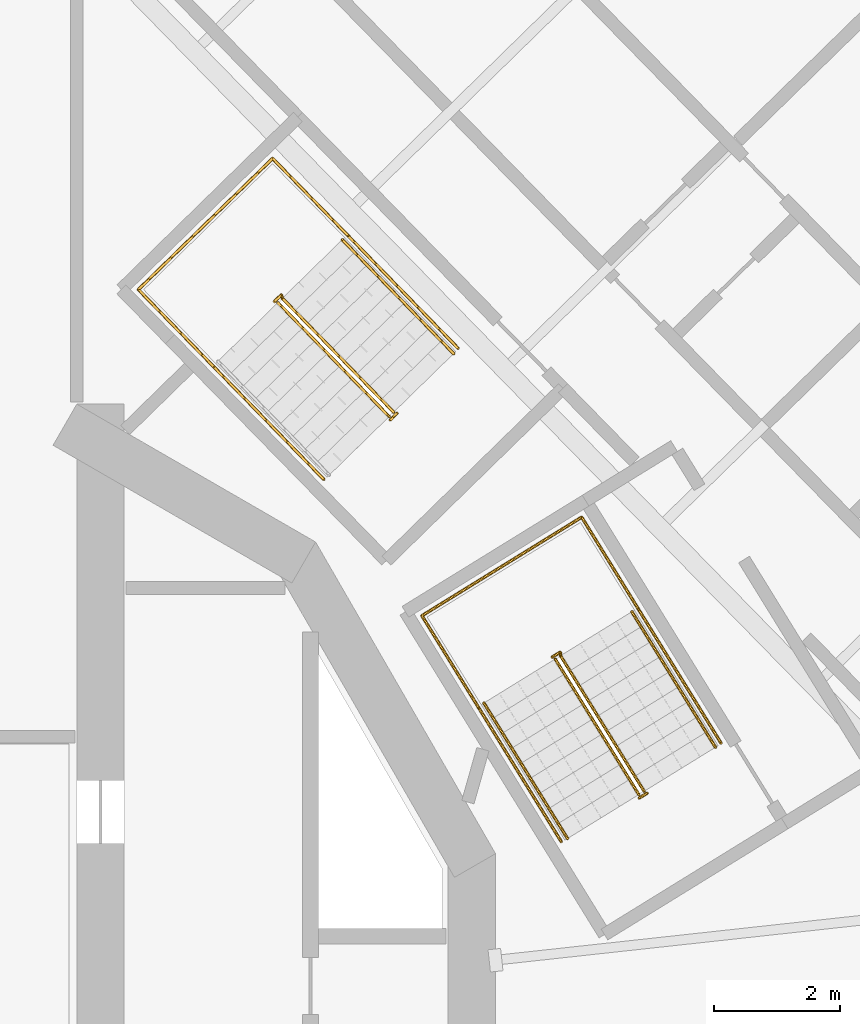
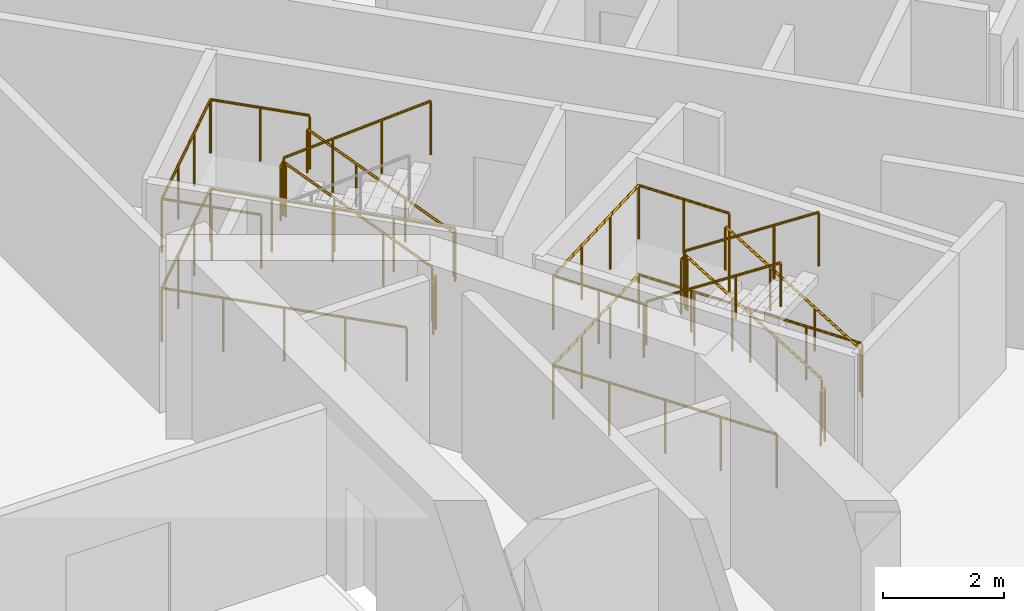
# One storey, part 15 of 17: 13 railings.
"""IFC4 building model written with IfcOpenShell, lengths in metres."""

import ifcopenshell
import ifcopenshell.guid

model = None  # the IFC model being written
_history = None  # IfcOwnerHistory: only IFC2X3 demands one
_inside = {}  # id of a spatial element -> (the spatial element, [elements in it])
_under = {}  # id of a project, library or spatial element -> (it, [spatial elements below it])
_declared = {}  # id of a project -> (the project, [libraries it declares])
_typed = {}  # id of a type object -> (the type object, [elements of that type])
_made_of = {}  # id of a material, layer set ... -> (it, [elements and type objects made of it])


def new_model(schema):
    """Start an empty IFC model of exactly this schema.

    Asked for "IFC4X3", IfcOpenShell would pick the latest addendum, in which some entities
    have other attributes; the version numbers below select the first issue.
    IFC2X3 requires an IfcOwnerHistory on every rooted entity: one is made here for all.
    """
    global model, _history
    if schema == "IFC4X3":
        model = ifcopenshell.file(schema_version=(4, 3, 0, 0))
    else:
        model = ifcopenshell.file(schema=schema)
    _inside.clear()
    _under.clear()
    _declared.clear()
    _typed.clear()
    _made_of.clear()
    _history = None
    if model.schema == "IFC2X3":
        org = make("IfcOrganization", Name="unknown")
        user = make(
            "IfcPersonAndOrganization",
            ThePerson=make("IfcPerson", FamilyName="unknown"),
            TheOrganization=org,
        )
        app = make(
            "IfcApplication",
            ApplicationDeveloper=org,
            Version="unknown",
            ApplicationFullName="unknown",
            ApplicationIdentifier="unknown",
        )
        _history = make(
            "IfcOwnerHistory",
            OwningUser=user,
            OwningApplication=app,
            ChangeAction="ADDED",
            CreationDate=0,
        )
    return model


def make(cls, **values):
    """One entity of the class cls with the attributes given. An attribute that is None is left unset."""
    return model.create_entity(
        cls, **{name: value for name, value in values.items() if value is not None}
    )


def rooted(cls, **values):
    """An entity with a GlobalId (a new one), such as an element, a storey or a relation."""
    return make(cls, GlobalId=ifcopenshell.guid.new(), OwnerHistory=_history, **values)


def si_unit(unit_type, name, prefix=None):
    """IfcSIUnit, for example si_unit("LENGTHUNIT", "METRE", prefix="MILLI")."""
    return make("IfcSIUnit", UnitType=unit_type, Prefix=prefix, Name=name)


def assignment(units):
    """IfcUnitAssignment: the units of a project."""
    return None if units is None else make("IfcUnitAssignment", Units=units)


def point(xyz):
    """IfcCartesianPoint."""
    return None if xyz is None else make("IfcCartesianPoint", Coordinates=xyz)


def direction(xyz):
    """IfcDirection."""
    return None if xyz is None else make("IfcDirection", DirectionRatios=xyz)


def frame(location, z_axis=None, x_axis=None):
    """IfcAxis2Placement3D, a coordinate frame: its origin and axes. An axis left out is left unset."""
    return make(
        "IfcAxis2Placement3D",
        Location=point(location),
        Axis=direction(z_axis),
        RefDirection=direction(x_axis),
    )


def frame_2d(location, x_axis=None):
    """IfcAxis2Placement2D, a coordinate frame in the plane: its origin and x axis."""
    return make(
        "IfcAxis2Placement2D", Location=point(location), RefDirection=direction(x_axis)
    )


def origin():
    """The frame at (0, 0, 0) with its axes left unset."""
    return frame((0.0, 0.0, 0.0))


def origin_2d():
    """The frame at (0, 0) in the plane with its x axis left unset."""
    return frame_2d((0.0, 0.0))


def place(relative_to, where):
    """IfcLocalPlacement: puts the frame where relative to a parent placement (None: the world)."""
    return make(
        "IfcLocalPlacement", PlacementRelTo=relative_to, RelativePlacement=where
    )


def context(
    kind, dimensions, precision=None, world=None, true_north=None, identifier=None
):
    """IfcGeometricRepresentationContext, for example the 3D "Model" context."""
    return make(
        "IfcGeometricRepresentationContext",
        ContextIdentifier=identifier,
        ContextType=kind,
        CoordinateSpaceDimension=dimensions,
        Precision=precision,
        WorldCoordinateSystem=world,
        TrueNorth=true_north,
    )


def subcontext(parent, identifier, kind, view, scale=None):
    """IfcGeometricRepresentationSubContext, for example "Body" below "Model"."""
    return make(
        "IfcGeometricRepresentationSubContext",
        ContextIdentifier=identifier,
        ContextType=kind,
        ParentContext=parent,
        TargetScale=scale,
        TargetView=view,
    )


def project(units=None, contexts=None):
    """IfcProject with its units and contexts."""
    return rooted(
        "IfcProject",
        Name="project",
        RepresentationContexts=contexts,
        UnitsInContext=assignment(units),
    )


def spatial(cls, under=None, at=None, **own):
    """A site, building, storey or space (cls), placed at a placement, below another one or the project."""
    s = rooted(cls, ObjectPlacement=at, **own)
    if under is not None:
        _under.setdefault(under.id(), (under, []))[1].append(s)
    return s


def profile(cls, at=None, kind="AREA", **sizes):
    """A parametric profile (cls). Its sizes go by their IFC names, for example OverallWidth=200.0."""
    return make(cls, ProfileType=kind, Position=at, **sizes)


def circle(**sizes):
    """IfcCircleProfileDef."""
    return profile("IfcCircleProfileDef", **sizes)


def extrude(swept, where, along, depth):
    """IfcExtrudedAreaSolid: the profile swept, set in the frame where, extruded along a direction by depth."""
    return make(
        "IfcExtrudedAreaSolid",
        SweptArea=swept,
        Position=where,
        ExtrudedDirection=direction(along),
        Depth=depth,
    )


def shape(context_of_items, identifier, shape_type, items):
    """IfcShapeRepresentation: the items that make up one representation, for example the "Body"."""
    return make(
        "IfcShapeRepresentation",
        ContextOfItems=context_of_items,
        RepresentationIdentifier=identifier,
        RepresentationType=shape_type,
        Items=items,
    )


def material(Name=None, Category=None):
    """IfcMaterial."""
    return make("IfcMaterial", Name=Name, Category=Category)


def made_of(thing, what):
    """Note that an element or type object is made of a material, layer set ...; save() writes the relation."""
    if what is not None:
        _made_of.setdefault(what.id(), (what, []))[1].append(thing)
    return thing


def type_object(cls, material=None, **own):
    """A type object (cls), such as IfcWallType, which elements share."""
    return made_of(rooted(cls, **own), material)


def element(
    cls,
    number,
    at=None,
    inside=None,
    cuts=None,
    type_object=None,
    material=None,
    context=None,
    identifier="Body",
    shape_type=None,
    held_by="IfcProductDefinitionShape",
    body=None,
    shapes=None,
    **own,
):
    """One element of the class cls, such as IfcWall. Its Tag is "e" and its number.

    at: its placement. inside: the storey or other place that contains it. cuts: it is an
    opening in that element (IfcRelVoidsElement). A single representation is given by context,
    identifier, shape_type and body (its items); several are given by shapes. held_by: the class
    of the entity that holds the representations. save() writes the other relations.
    """
    e = rooted(cls, Tag="e%d" % number, ObjectPlacement=at, **own)
    if body is not None:
        shapes = [shape(context, identifier, shape_type, body)]
    if shapes is not None:
        e.Representation = make(held_by, Representations=shapes)
    if inside is not None:
        _inside.setdefault(inside.id(), (inside, []))[1].append(e)
    if cuts is not None:
        rooted(
            "IfcRelVoidsElement", RelatingBuildingElement=cuts, RelatedOpeningElement=e
        )
    if type_object is not None:
        _typed.setdefault(type_object.id(), (type_object, []))[1].append(e)
    return made_of(e, material)


def aggregate(whole, parts):
    """IfcRelAggregates: a whole, such as a stair, and the parts it consists of."""
    return rooted("IfcRelAggregates", RelatingObject=whole, RelatedObjects=parts)


def save(model, path):
    """Write the relations noted so far, then the file.

    IfcRelAggregates (storeys below a building ...), IfcRelContainedInSpatialStructure (elements
    in a storey), IfcRelDefinesByType, IfcRelAssociatesMaterial and IfcRelDeclares: one each for
    every whole, place, type object, material and project.
    """
    for whole, parts in _under.values():
        aggregate(whole, parts)
    for where, things in _inside.values():
        rooted(
            "IfcRelContainedInSpatialStructure",
            RelatedElements=things,
            RelatingStructure=where,
        )
    for kind, things in _typed.values():
        rooted("IfcRelDefinesByType", RelatedObjects=things, RelatingType=kind)
    for what, things in _made_of.values():
        rooted("IfcRelAssociatesMaterial", RelatedObjects=things, RelatingMaterial=what)
    for by, libraries in _declared.values():
        rooted("IfcRelDeclares", RelatingContext=by, RelatedDefinitions=libraries)
    model.write(path)


model = new_model("IFC4")

# Units and contexts
model_context = context("Model", 3, precision=1e-05, world=origin(), true_north=direction((0.0, 1.0)))
body_context = subcontext(model_context, "Body", "Model", "MODEL_VIEW")
ifc_project = project(units=[si_unit("LENGTHUNIT", "METRE"), si_unit("AREAUNIT", "SQUARE_METRE"), si_unit("VOLUMEUNIT", "CUBIC_METRE"), si_unit("PLANEANGLEUNIT", "RADIAN"), si_unit("MASSUNIT", "GRAM", prefix="KILO")], contexts=[model_context])

# Site, building, storey
site_placement = place(None, origin())
site = spatial("IfcSite", under=ifc_project, at=site_placement, CompositionType="ELEMENT")
building_placement = place(site_placement, origin())
building = spatial("IfcBuilding", under=site, at=building_placement, Name="Cantera Rosa Tower", CompositionType="ELEMENT")
storey_placement = place(building_placement, frame((0.0, 0.0, 237.800048828125)))
storey = spatial("IfcBuildingStorey", under=building, at=storey_placement, Name="L52", CompositionType="ELEMENT", Elevation=237.800048828125)

# Railings
ifc_material_1 = material(Name="Steel S355J2 (EN 10025-2)", Category="steel")
railing_type_1 = type_object("IfcRailingType", Name="STAIR GUARD 1100", PredefinedType="GUARDRAIL", material=ifc_material_1)
railing_1_placement = place(storey_placement, frame((12.9765625, 3.834228515625, 0.179931640625)))
element("IfcRailing", 1, at=railing_1_placement, inside=storey, type_object=railing_type_1, Name="L52 ST-41 stair guard 1", PredefinedType="GUARDRAIL", context=body_context, shape_type="SweptSolid", body=[
    extrude(circle(Radius=0.02392578125, at=origin_2d()), frame((0.0, 0.0, 1.076171875), z_axis=(-0.44154346381, 0.715939337315, 0.540805172729), x_axis=(-0.851145618652, -0.524929648476, 0.0)), (0.0, 0.0, 1.0), 2.995849609375),
    extrude(circle(Radius=0.02392578125, at=origin_2d()), frame((-1.32275390625, 2.144775390625, 2.6962890625), z_axis=(-0.073711968402, 0.997279572494, 0.0), x_axis=(-0.997279572494, -0.073711968402, 0.0)), (0.0, 0.0, 1.0), 0.056396484375),
    extrude(circle(Radius=0.02392578125, at=origin_2d()), frame((-1.326904296875, 2.200927734375, 2.6962890625), z_axis=(-0.851546489876, -0.524279100842, 0.0), x_axis=(0.524279100842, -0.851546489876, 0.0)), (0.0, 0.0, 1.0), 0.14990234375),
    extrude(circle(Radius=0.02099609375, at=origin_2d()), origin(), (0.0, 0.0, 1.0), 1.052001953125),
    extrude(circle(Radius=0.02099609375, at=origin_2d()), frame((-0.44091796875, 0.71484375, 0.5400390625)), (0.0, 0.0, 1.0), 1.052001953125),
    extrude(circle(Radius=0.02099609375, at=origin_2d()), frame((-0.8818359375, 1.429931640625, 1.080078125)), (0.0, 0.0, 1.0), 1.052001953125),
    extrude(circle(Radius=0.02099609375, at=origin_2d()), frame((-1.32275390625, 2.144775390625, 1.6201171875)), (0.0, 0.0, 1.0), 1.052001953125),
    extrude(circle(Radius=0.02099609375, at=origin_2d()), frame((-1.326904296875, 2.200927734375, 1.6201171875)), (0.0, 0.0, 1.0), 1.052001953125),
    extrude(circle(Radius=0.02099609375, at=origin_2d()), frame((-1.45458984375, 2.122314453125, 1.6201171875)), (0.0, 0.0, 1.0), 1.052001953125),
])
railing_2_placement = place(storey_placement, frame((11.5703125, 5.927490234375, 1.97998046875)))
element("IfcRailing", 2, at=railing_2_placement, inside=storey, type_object=railing_type_1, Name="L52 ST-41 stair guard 2", PredefinedType="GUARDRAIL", context=body_context, shape_type="SweptSolid", body=[
    extrude(circle(Radius=0.02392578125, at=origin_2d()), frame((0.0, 0.0, 1.076171875), z_axis=(0.441628529057, -0.715945124149, 0.540728047664), x_axis=(0.851102330005, 0.524999832248, 0.0)), (0.0, 0.0, 1.0), 2.99560546875),
    extrude(circle(Radius=0.02099609375, at=origin_2d()), origin(), (0.0, 0.0, 1.0), 1.052001953125),
    extrude(circle(Radius=0.02099609375, at=origin_2d()), frame((0.44091796875, -0.71484375, 0.5400390625)), (0.0, 0.0, 1.0), 1.052001953125),
    extrude(circle(Radius=0.02099609375, at=origin_2d()), frame((0.882080078125, -1.429931640625, 1.079833984375)), (0.0, 0.0, 1.0), 1.052001953125),
    extrude(circle(Radius=0.02099609375, at=origin_2d()), frame((1.322998046875, -2.144775390625, 1.619873046875)), (0.0, 0.0, 1.0), 1.052001953125),
])
railing_3_placement = place(storey_placement, frame((13.025146484375, 3.80517578125, 0.0)))
element("IfcRailing", 3, at=railing_3_placement, inside=storey, type_object=railing_type_1, Name="L52 ST-41 stair guard 3", PredefinedType="GUARDRAIL", context=body_context, shape_type="SweptSolid", body=[
    extrude(circle(Radius=0.02392578125, at=origin_2d()), frame((0.0, 0.0, 1.076171875), z_axis=(-0.851546489876, -0.524279100842, 0.0), x_axis=(0.524279100842, -0.851546489876, 0.0)), (0.0, 0.0, 1.0), 0.14990234375),
    extrude(circle(Radius=0.02099609375, at=origin_2d()), origin(), (0.0, 0.0, 1.0), 1.052001953125),
    extrude(circle(Radius=0.02099609375, at=origin_2d()), frame((-0.127685546875, -0.07861328125, 0.0)), (0.0, 0.0, 1.0), 1.052001953125),
])
railing_4_placement = place(storey_placement, frame((14.192626953125, 4.59814453125, 0.0)))
element("IfcRailing", 4, at=railing_4_placement, inside=storey, type_object=railing_type_1, Name="L52 ST-41 stair guard 4", PredefinedType="GUARDRAIL", context=body_context, shape_type="SweptSolid", body=[
    extrude(circle(Radius=0.02392578125, at=origin_2d()), frame((0.0, 0.0, 1.076171875), z_axis=(-0.524976478809, 0.851116735059, 0.0), x_axis=(-0.851116735059, -0.524976478809, 0.0)), (0.0, 0.0, 1.0), 4.197998046875),
    extrude(circle(Radius=0.02392578125, at=origin_2d()), frame((-2.203857421875, 3.572998046875, 1.076171875), z_axis=(-0.851132917336, -0.524950242429, 0.0), x_axis=(0.524950242429, -0.851132917336, 0.0)), (0.0, 0.0, 1.0), 2.969970703125),
    extrude(circle(Radius=0.02392578125, at=origin_2d()), frame((-4.731689453125, 2.013916015625, 1.076171875), z_axis=(0.524976478809, -0.851116735059, 0.0), x_axis=(0.851116735059, 0.524976478809, 0.0)), (0.0, 0.0, 1.0), 4.197998046875),
    extrude(circle(Radius=0.02099609375, at=origin_2d()), origin(), (0.0, 0.0, 1.0), 1.052001953125),
    extrude(circle(Radius=0.02099609375, at=origin_2d()), frame((-0.551025390625, 0.893310546875, 0.0)), (0.0, 0.0, 1.0), 1.052001953125),
    extrude(circle(Radius=0.02099609375, at=origin_2d()), frame((-1.10205078125, 1.78662109375, 0.0)), (0.0, 0.0, 1.0), 1.052001953125),
    extrude(circle(Radius=0.02099609375, at=origin_2d()), frame((-1.65283203125, 2.6796875, 0.0)), (0.0, 0.0, 1.0), 1.052001953125),
    extrude(circle(Radius=0.02099609375, at=origin_2d()), frame((-2.203857421875, 3.572998046875, 0.0)), (0.0, 0.0, 1.0), 1.052001953125),
    extrude(circle(Radius=0.02099609375, at=origin_2d()), frame((-3.04638671875, 3.05322265625, 0.0)), (0.0, 0.0, 1.0), 1.052001953125),
    extrude(circle(Radius=0.02099609375, at=origin_2d()), frame((-3.88916015625, 2.53369140625, 0.0)), (0.0, 0.0, 1.0), 1.052001953125),
    extrude(circle(Radius=0.02099609375, at=origin_2d()), frame((-4.731689453125, 2.013916015625, 0.0)), (0.0, 0.0, 1.0), 1.052001953125),
    extrude(circle(Radius=0.02099609375, at=origin_2d()), frame((-4.1806640625, 1.12060546875, 0.0)), (0.0, 0.0, 1.0), 1.052001953125),
    extrude(circle(Radius=0.02099609375, at=origin_2d()), frame((-3.6298828125, 0.2275390625, 0.0)), (0.0, 0.0, 1.0), 1.052001953125),
    extrude(circle(Radius=0.02099609375, at=origin_2d()), frame((-3.078857421875, -0.665771484375, 0.0)), (0.0, 0.0, 1.0), 1.052001953125),
    extrude(circle(Radius=0.02099609375, at=origin_2d()), frame((-2.52783203125, -1.55908203125, 0.0)), (0.0, 0.0, 1.0), 1.052001953125),
])
railing_5_placement = place(storey_placement, frame((12.88232421875, 6.72265625, 1.800048828125)))
element("IfcRailing", 5, at=railing_5_placement, inside=storey, type_object=railing_type_1, Name="L52 ST-41 stair guard 5", PredefinedType="GUARDRAIL", context=body_context, shape_type="SweptSolid", body=[
    extrude(circle(Radius=0.02392578125, at=origin_2d()), frame((0.0, 0.0, 1.076171875), z_axis=(-0.525025534833, 0.851086474909, 0.0), x_axis=(-0.851086474909, -0.525025534833, 0.0)), (0.0, 0.0, 1.0), 1.701904296875),
    extrude(circle(Radius=0.02392578125, at=origin_2d()), frame((-0.8935546875, 1.448486328125, 1.076171875), z_axis=(-0.851132917336, -0.524950242429, 0.0), x_axis=(0.524950242429, -0.851132917336, 0.0)), (0.0, 0.0, 1.0), 2.969970703125),
    extrude(circle(Radius=0.02392578125, at=origin_2d()), frame((-3.42138671875, -0.110595703125, 1.076171875), z_axis=(0.524961441845, -0.851126009811, 0.0), x_axis=(0.851126009811, 0.524961441845, 0.0)), (0.0, 0.0, 1.0), 1.7021484375),
    extrude(circle(Radius=0.02099609375, at=origin_2d()), origin(), (0.0, 0.0, 1.0), 1.052001953125),
    extrude(circle(Radius=0.02099609375, at=origin_2d()), frame((-0.44677734375, 0.72412109375, 0.0)), (0.0, 0.0, 1.0), 1.052001953125),
    extrude(circle(Radius=0.02099609375, at=origin_2d()), frame((-0.8935546875, 1.448486328125, 0.0)), (0.0, 0.0, 1.0), 1.052001953125),
    extrude(circle(Radius=0.02099609375, at=origin_2d()), frame((-1.736083984375, 0.9287109375, 0.0)), (0.0, 0.0, 1.0), 1.052001953125),
    extrude(circle(Radius=0.02099609375, at=origin_2d()), frame((-2.578857421875, 0.4091796875, 0.0)), (0.0, 0.0, 1.0), 1.052001953125),
    extrude(circle(Radius=0.02099609375, at=origin_2d()), frame((-3.42138671875, -0.110595703125, 0.0)), (0.0, 0.0, 1.0), 1.052001953125),
    extrude(circle(Radius=0.02099609375, at=origin_2d()), frame((-2.974609375, -0.8349609375, 0.0)), (0.0, 0.0, 1.0), 1.052001953125),
    extrude(circle(Radius=0.02099609375, at=origin_2d()), frame((-2.52783203125, -1.559326171875, 0.0)), (0.0, 0.0, 1.0), 1.052001953125),
])
railing_6_placement = place(storey_placement, frame((9.013427734375, 9.832763671875, 0.179931640625)))
element("IfcRailing", 6, at=railing_6_placement, inside=storey, type_object=railing_type_1, Name="L52 ST-42 stair guard 1", PredefinedType="GUARDRAIL", context=body_context, shape_type="SweptSolid", body=[
    extrude(circle(Radius=0.02392578125, at=origin_2d()), frame((0.0, 0.0, 1.076171875), z_axis=(-0.587818193466, 0.601672219931, 0.54079599776), x_axis=(-0.715293958342, -0.698823692472, 0.0)), (0.0, 0.0, 1.0), 2.995849609375),
    extrude(circle(Radius=0.02392578125, at=origin_2d()), frame((-1.760986328125, 1.802490234375, 2.6962890625), z_axis=(-0.290127576896, 0.956987977523, 0.0), x_axis=(-0.956987977523, -0.290127576896, 0.0)), (0.0, 0.0, 1.0), 0.056396484375),
    extrude(circle(Radius=0.02392578125, at=origin_2d()), frame((-1.77734375, 1.8564453125, 2.6962890625), z_axis=(-0.71600013962, -0.69810013613, 0.0), x_axis=(0.69810013613, -0.71600013962, 0.0)), (0.0, 0.0, 1.0), 0.150146484375),
    extrude(circle(Radius=0.02099609375, at=origin_2d()), origin(), (0.0, 0.0, 1.0), 1.052001953125),
    extrude(circle(Radius=0.02099609375, at=origin_2d()), frame((-0.5869140625, 0.600830078125, 0.5400390625)), (0.0, 0.0, 1.0), 1.052001953125),
    extrude(circle(Radius=0.02099609375, at=origin_2d()), frame((-1.174072265625, 1.20166015625, 1.080078125)), (0.0, 0.0, 1.0), 1.052001953125),
    extrude(circle(Radius=0.02099609375, at=origin_2d()), frame((-1.760986328125, 1.802490234375, 1.6201171875)), (0.0, 0.0, 1.0), 1.052001953125),
    extrude(circle(Radius=0.02099609375, at=origin_2d()), frame((-1.77734375, 1.8564453125, 1.6201171875)), (0.0, 0.0, 1.0), 1.052001953125),
    extrude(circle(Radius=0.02099609375, at=origin_2d()), frame((-1.884765625, 1.751708984375, 1.6201171875)), (0.0, 0.0, 1.0), 1.052001953125),
])
railing_7_placement = place(storey_placement, frame((7.182373046875, 11.56689453125, 1.97998046875)))
element("IfcRailing", 7, at=railing_7_placement, inside=storey, type_object=railing_type_1, Name="L52 ST-42 stair guard 2", PredefinedType="GUARDRAIL", context=body_context, shape_type="SweptSolid", body=[
    extrude(circle(Radius=0.02392578125, at=origin_2d()), frame((0.0, 0.0, 1.076171875), z_axis=(0.587844099419, -0.60169873645, 0.540738333515), x_axis=(0.715293958342, 0.698823692472, 0.0)), (0.0, 0.0, 1.0), 2.99560546875),
    extrude(circle(Radius=0.02099609375, at=origin_2d()), origin(), (0.0, 0.0, 1.0), 1.052001953125),
    extrude(circle(Radius=0.02099609375, at=origin_2d()), frame((0.5869140625, -0.600830078125, 0.5400390625)), (0.0, 0.0, 1.0), 1.052001953125),
    extrude(circle(Radius=0.02099609375, at=origin_2d()), frame((1.174072265625, -1.20166015625, 1.079833984375)), (0.0, 0.0, 1.0), 1.052001953125),
    extrude(circle(Radius=0.02099609375, at=origin_2d()), frame((1.760986328125, -1.802490234375, 1.619873046875)), (0.0, 0.0, 1.0), 1.052001953125),
])
railing_8_placement = place(storey_placement, frame((9.06689453125, 9.815185546875, 0.0)))
element("IfcRailing", 8, at=railing_8_placement, inside=storey, type_object=railing_type_1, Name="L52 ST-42 stair guard 3", PredefinedType="GUARDRAIL", context=body_context, shape_type="SweptSolid", body=[
    extrude(circle(Radius=0.02392578125, at=origin_2d()), frame((0.0, 0.0, 1.076171875), z_axis=(-0.715205710557, -0.698914008722, 0.0), x_axis=(0.698914008722, -0.715205710557, 0.0)), (0.0, 0.0, 1.0), 0.14990234375),
    extrude(circle(Radius=0.02099609375, at=origin_2d()), origin(), (0.0, 0.0, 1.0), 1.052001953125),
    extrude(circle(Radius=0.02099609375, at=origin_2d()), frame((-0.107177734375, -0.104736328125, 0.0)), (0.0, 0.0, 1.0), 1.052001953125),
])
railing_9_placement = place(storey_placement, frame((10.0322265625, 10.844970703125, 0.0)))
element("IfcRailing", 9, at=railing_9_placement, inside=storey, type_object=railing_type_1, Name="L52 ST-42 stair guard 4", PredefinedType="GUARDRAIL", context=body_context, shape_type="SweptSolid", body=[
    extrude(circle(Radius=0.02392578125, at=origin_2d()), frame((0.0, 0.0, 1.076171875), z_axis=(-0.698859254364, 0.715259213566, 0.0), x_axis=(-0.715259213566, -0.698859254364, 0.0)), (0.0, 0.0, 1.0), 4.197998046875),
    extrude(circle(Radius=0.02392578125, at=origin_2d()), frame((-2.933837890625, 3.002685546875, 1.076171875), z_axis=(-0.715279654138, -0.698838333505, 0.0), x_axis=(0.698838333505, -0.715279654138, 0.0)), (0.0, 0.0, 1.0), 2.9697265625),
    extrude(circle(Radius=0.02392578125, at=origin_2d()), frame((-5.05810546875, 0.92724609375, 1.076171875), z_axis=(0.698829500247, -0.715288284249, 0.0), x_axis=(0.715288284249, 0.698829500247, 0.0)), (0.0, 0.0, 1.0), 4.19775390625),
    extrude(circle(Radius=0.02099609375, at=origin_2d()), origin(), (0.0, 0.0, 1.0), 1.052001953125),
    extrude(circle(Radius=0.02099609375, at=origin_2d()), frame((-0.7333984375, 0.750732421875, 0.0)), (0.0, 0.0, 1.0), 1.052001953125),
    extrude(circle(Radius=0.02099609375, at=origin_2d()), frame((-1.466796875, 1.50146484375, 0.0)), (0.0, 0.0, 1.0), 1.052001953125),
    extrude(circle(Radius=0.02099609375, at=origin_2d()), frame((-2.200439453125, 2.251953125, 0.0)), (0.0, 0.0, 1.0), 1.052001953125),
    extrude(circle(Radius=0.02099609375, at=origin_2d()), frame((-2.933837890625, 3.002685546875, 0.0)), (0.0, 0.0, 1.0), 1.052001953125),
    extrude(circle(Radius=0.02099609375, at=origin_2d()), frame((-3.641845703125, 2.310791015625, 0.0)), (0.0, 0.0, 1.0), 1.052001953125),
    extrude(circle(Radius=0.02099609375, at=origin_2d()), frame((-4.35009765625, 1.619140625, 0.0)), (0.0, 0.0, 1.0), 1.052001953125),
    extrude(circle(Radius=0.02099609375, at=origin_2d()), frame((-5.05810546875, 0.92724609375, 0.0)), (0.0, 0.0, 1.0), 1.052001953125),
    extrude(circle(Radius=0.02099609375, at=origin_2d()), frame((-4.32470703125, 0.176513671875, 0.0)), (0.0, 0.0, 1.0), 1.052001953125),
    extrude(circle(Radius=0.02099609375, at=origin_2d()), frame((-3.59130859375, -0.57421875, 0.0)), (0.0, 0.0, 1.0), 1.052001953125),
    extrude(circle(Radius=0.02099609375, at=origin_2d()), frame((-2.85791015625, -1.32470703125, 0.0)), (0.0, 0.0, 1.0), 1.052001953125),
    extrude(circle(Radius=0.02099609375, at=origin_2d()), frame((-2.12451171875, -2.075439453125, 0.0)), (0.0, 0.0, 1.0), 1.052001953125),
])
railing_10_placement = place(storey_placement, frame((8.287841796875, 12.63037109375, 1.800048828125)))
element("IfcRailing", 10, at=railing_10_placement, inside=storey, type_object=railing_type_1, Name="L52 ST-42 stair guard 5", PredefinedType="GUARDRAIL", context=body_context, shape_type="SweptSolid", body=[
    extrude(circle(Radius=0.02392578125, at=origin_2d()), frame((0.0, 0.0, 1.076171875), z_axis=(-0.698882919007, 0.715236090757, 0.0), x_axis=(-0.715236090757, -0.698882919007, 0.0)), (0.0, 0.0, 1.0), 1.701904296875),
    extrude(circle(Radius=0.02392578125, at=origin_2d()), frame((-1.189453125, 1.21728515625, 1.076171875), z_axis=(-0.715279654138, -0.698838333505, 0.0), x_axis=(0.698838333505, -0.715279654138, 0.0)), (0.0, 0.0, 1.0), 2.9697265625),
    extrude(circle(Radius=0.02392578125, at=origin_2d()), frame((-3.313720703125, -0.858154296875, 1.076171875), z_axis=(0.698811217595, -0.715306145761, 0.0), x_axis=(0.715306145761, 0.698811217595, 0.0)), (0.0, 0.0, 1.0), 1.7021484375),
    extrude(circle(Radius=0.02099609375, at=origin_2d()), origin(), (0.0, 0.0, 1.0), 1.052001953125),
    extrude(circle(Radius=0.02099609375, at=origin_2d()), frame((-0.5947265625, 0.608642578125, 0.0)), (0.0, 0.0, 1.0), 1.052001953125),
    extrude(circle(Radius=0.02099609375, at=origin_2d()), frame((-1.189453125, 1.21728515625, 0.0)), (0.0, 0.0, 1.0), 1.052001953125),
    extrude(circle(Radius=0.02099609375, at=origin_2d()), frame((-1.8974609375, 0.525390625, 0.0)), (0.0, 0.0, 1.0), 1.052001953125),
    extrude(circle(Radius=0.02099609375, at=origin_2d()), frame((-2.605712890625, -0.166259765625, 0.0)), (0.0, 0.0, 1.0), 1.052001953125),
    extrude(circle(Radius=0.02099609375, at=origin_2d()), frame((-3.313720703125, -0.858154296875, 0.0)), (0.0, 0.0, 1.0), 1.052001953125),
    extrude(circle(Radius=0.02099609375, at=origin_2d()), frame((-2.718994140625, -1.466796875, 0.0)), (0.0, 0.0, 1.0), 1.052001953125),
    extrude(circle(Radius=0.02099609375, at=origin_2d()), frame((-2.124267578125, -2.07568359375, 0.0)), (0.0, 0.0, 1.0), 1.052001953125),
])
ifc_material_2 = material(Name="Steel S355J2 (EN 10025-2)", Category="steel")
railing_type_2 = type_object("IfcRailingType", Name="STAIR HANDRAIL 900", PredefinedType="HANDRAIL", material=ifc_material_2)
railing_11_placement = place(storey_placement, frame((14.105224609375, 4.5302734375, 0.179931640625)))
element("IfcRailing", 11, at=railing_11_placement, inside=storey, type_object=railing_type_2, Name="L52 ST-41 stair handrail 1", PredefinedType="HANDRAIL", context=body_context, shape_type="SweptSolid", body=[
    extrude(circle(Radius=0.02392578125, at=origin_2d()), frame((0.0, 0.0, 0.8759765625), z_axis=(-0.441609067481, 0.715913574058, 0.540785711718), x_axis=(-0.851102330005, -0.524999832248, 0.0)), (0.0, 0.0, 1.0), 2.995849609375),
    extrude(circle(Radius=0.02099609375, at=origin_2d()), origin(), (0.0, 0.0, 1.0), 0.851806640625),
    extrude(circle(Radius=0.02099609375, at=origin_2d()), frame((-0.44091796875, 0.71484375, 0.5400390625)), (0.0, 0.0, 1.0), 0.851806640625),
    extrude(circle(Radius=0.02099609375, at=origin_2d()), frame((-0.882080078125, 1.429931640625, 1.080078125)), (0.0, 0.0, 1.0), 0.851806640625),
    extrude(circle(Radius=0.02099609375, at=origin_2d()), frame((-1.322998046875, 2.144775390625, 1.6201171875)), (0.0, 0.0, 1.0), 0.851806640625),
])
railing_12_placement = place(storey_placement, frame((10.441650390625, 5.2314453125, 1.97998046875)))
element("IfcRailing", 12, at=railing_12_placement, inside=storey, type_object=railing_type_2, Name="L52 ST-41 stair handrail 2", PredefinedType="HANDRAIL", context=body_context, shape_type="SweptSolid", body=[
    extrude(circle(Radius=0.02392578125, at=origin_2d()), frame((0.0, 0.0, 0.8759765625), z_axis=(0.441628529057, -0.715945124149, 0.540728047664), x_axis=(0.851102330005, 0.524999832248, 0.0)), (0.0, 0.0, 1.0), 2.99560546875),
    extrude(circle(Radius=0.02099609375, at=origin_2d()), origin(), (0.0, 0.0, 1.0), 0.851806640625),
    extrude(circle(Radius=0.02099609375, at=origin_2d()), frame((0.44091796875, -0.71484375, 0.5400390625)), (0.0, 0.0, 1.0), 0.851806640625),
    extrude(circle(Radius=0.02099609375, at=origin_2d()), frame((0.882080078125, -1.429931640625, 1.079833984375)), (0.0, 0.0, 1.0), 0.851806640625),
    extrude(circle(Radius=0.02099609375, at=origin_2d()), frame((1.322998046875, -2.144775390625, 1.619873046875)), (0.0, 0.0, 1.0), 0.851806640625),
])
railing_13_placement = place(storey_placement, frame((9.9619140625, 10.759521484375, 0.179931640625)))
element("IfcRailing", 13, at=railing_13_placement, inside=storey, type_object=railing_type_2, Name="L52 ST-42 stair handrail 1", PredefinedType="HANDRAIL", context=body_context, shape_type="SweptSolid", body=[
    extrude(circle(Radius=0.02392578125, at=origin_2d()), frame((0.0, 0.0, 0.8759765625), z_axis=(-0.587818193466, 0.601672219931, 0.54079599776), x_axis=(-0.715293958342, -0.698823692472, 0.0)), (0.0, 0.0, 1.0), 2.995849609375),
    extrude(circle(Radius=0.02099609375, at=origin_2d()), origin(), (0.0, 0.0, 1.0), 0.851806640625),
    extrude(circle(Radius=0.02099609375, at=origin_2d()), frame((-0.5869140625, 0.600830078125, 0.5400390625)), (0.0, 0.0, 1.0), 0.851806640625),
    extrude(circle(Radius=0.02099609375, at=origin_2d()), frame((-1.174072265625, 1.20166015625, 1.080078125)), (0.0, 0.0, 1.0), 0.851806640625),
    extrude(circle(Radius=0.02099609375, at=origin_2d()), frame((-1.760986328125, 1.802490234375, 1.6201171875)), (0.0, 0.0, 1.0), 0.851806640625),
])

save(model, "model.ifc")
